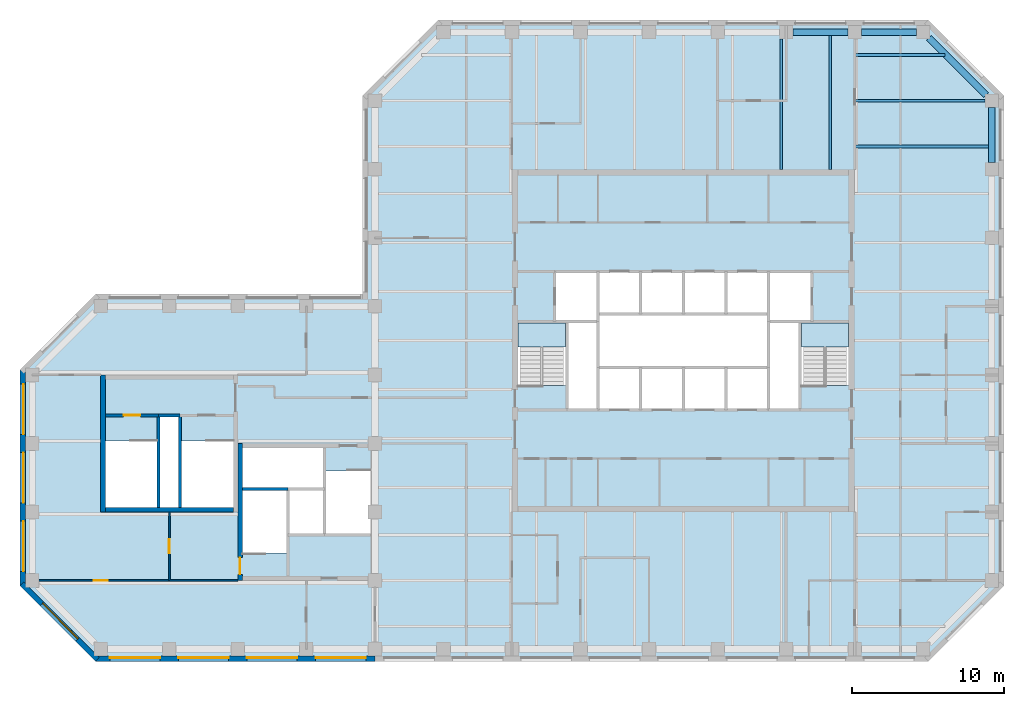
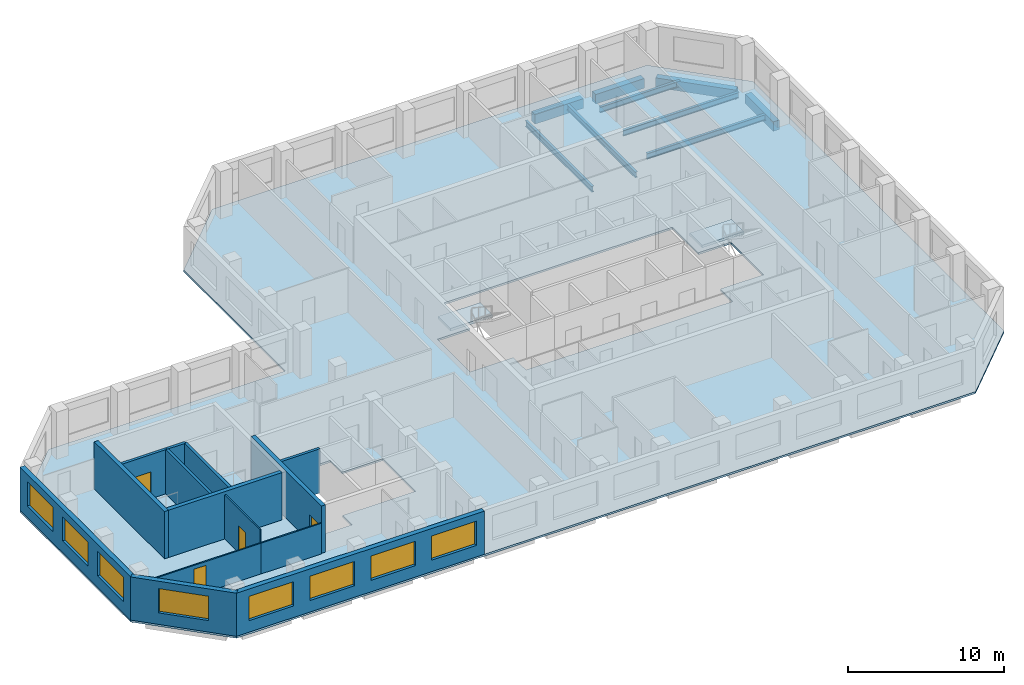
# One storey, part 2 of 9: 14 walls, 9 beams, 8 windows, 4 doors, 3 slabs, 12 openings, 2 elements without a shape of their own.
"""IFC4 building model written with IfcOpenShell, lengths in metres."""

from ifc_helpers import new_model, si_unit, direction, frame, frame_2d, origin, origin_2d, place, context, subcontext, project, spatial, polyline, rectangle, i_section, outline, extrude, material, layer, layer_set, constituent, constituent_set, material_profile, profile_set, type_object, element, fill, aggregate, save


model = new_model("IFC4")

# Units and contexts
model_context = context("Model", 3, precision=1e-05, world=origin(), true_north=direction((0.0, 1.0)))
body_context = subcontext(model_context, "Body", "Model", "MODEL_VIEW")
ifc_project = project(units=[si_unit("LENGTHUNIT", "METRE"), si_unit("AREAUNIT", "SQUARE_METRE"), si_unit("VOLUMEUNIT", "CUBIC_METRE"), si_unit("PLANEANGLEUNIT", "RADIAN"), si_unit("MASSUNIT", "GRAM", prefix="KILO")], contexts=[model_context])

# Site, building, storey
site_placement = place(None, origin())
site = spatial("IfcSite", under=ifc_project, at=site_placement, CompositionType="ELEMENT")
building_placement = place(site_placement, origin())
building = spatial("IfcBuilding", under=site, at=building_placement, Name="Quoin Convention Tower", CompositionType="ELEMENT")
storey_placement = place(building_placement, frame((0.0, 0.0, 260.0)))
storey = spatial("IfcBuildingStorey", under=building, at=storey_placement, Name="L68", CompositionType="ELEMENT", Elevation=260.0)

# Beams
ifc_material_1 = material(Name="Steel Grade 300", Category="steel")
ifc_material_profile_1 = material_profile(ifc_material_1, i_section(OverallWidth=0.18994140625, OverallDepth=0.4541015625, WebThickness=0.008544921875, FlangeThickness=0.0126953125, FilletRadius=0.011474609375, at=origin_2d()), Name="460UB67.1")
ifc_profile_set_1 = profile_set([ifc_material_profile_1], Name="Steel Grade 300")
beam_type_1 = type_object("IfcBeamType", Name="460UB67.1", PredefinedType="BEAM", material=ifc_profile_set_1)
beam_1_placement = place(storey_placement, frame((62.6787109375, 72.0, -0.376953125), z_axis=(0.0, 1.0, 0.0), x_axis=(-1.0, 0.0, 0.0)))
element("IfcBeam", 1, at=beam_1_placement, inside=storey, type_object=beam_type_1, Name="bm-L68-T1N5", PredefinedType="BEAM", context=body_context, shape_type="SweptSolid", body=[
    extrude(i_section(OverallWidth=0.18994140625, OverallDepth=0.4541015625, WebThickness=0.008544921875, FlangeThickness=0.0126953125, FilletRadius=0.011474609375, at=origin_2d()), origin(), (0.0, 0.0, 1.0), 8.550048828125),
])
beam_2_placement = place(storey_placement, frame((65.892822265625, 72.0, -0.376953125), z_axis=(0.0, 1.0, 0.0), x_axis=(-1.0, 0.0, 0.0)))
element("IfcBeam", 2, at=beam_2_placement, inside=storey, type_object=beam_type_1, Name="bm-L68-T1N6", PredefinedType="BEAM", context=body_context, shape_type="SweptSolid", body=[
    extrude(i_section(OverallWidth=0.18994140625, OverallDepth=0.4541015625, WebThickness=0.008544921875, FlangeThickness=0.0126953125, FilletRadius=0.011474609375, at=origin_2d()), origin(), (0.0, 0.0, 1.0), 8.77490234375),
])
beam_3_placement = place(storey_placement, frame((67.5, 79.5, -0.376953125), z_axis=(1.0, 0.0, 0.0), x_axis=(0.0, 1.0, 0.0)))
element("IfcBeam", 3, at=beam_3_placement, inside=storey, type_object=beam_type_1, Name="bm-L68-T1NE0", PredefinedType="BEAM", context=body_context, shape_type="SweptSolid", body=[
    extrude(i_section(OverallWidth=0.18994140625, OverallDepth=0.4541015625, WebThickness=0.008544921875, FlangeThickness=0.0126953125, FilletRadius=0.011474609375, at=origin_2d()), origin(), (0.0, 0.0, 1.0), 5.935791015625),
])
beam_4_placement = place(storey_placement, frame((67.5, 76.5, -0.376953125), z_axis=(1.0, 0.0, 0.0), x_axis=(0.0, 1.0, 0.0)))
element("IfcBeam", 4, at=beam_4_placement, inside=storey, type_object=beam_type_1, Name="bm-L68-T1NE1", PredefinedType="BEAM", context=body_context, shape_type="SweptSolid", body=[
    extrude(i_section(OverallWidth=0.18994140625, OverallDepth=0.4541015625, WebThickness=0.008544921875, FlangeThickness=0.0126953125, FilletRadius=0.011474609375, at=origin_2d()), origin(), (0.0, 0.0, 1.0), 8.550048828125),
])
beam_5_placement = place(storey_placement, frame((67.5, 73.5, -0.376953125), z_axis=(1.0, 0.0, 0.0), x_axis=(0.0, 1.0, 0.0)))
element("IfcBeam", 5, at=beam_5_placement, inside=storey, type_object=beam_type_1, Name="bm-L68-T1NE2", PredefinedType="BEAM", context=body_context, shape_type="SweptSolid", body=[
    extrude(i_section(OverallWidth=0.18994140625, OverallDepth=0.4541015625, WebThickness=0.008544921875, FlangeThickness=0.0126953125, FilletRadius=0.011474609375, at=origin_2d()), origin(), (0.0, 0.0, 1.0), 8.77490234375),
])
ifc_material_2 = material(Name="Concrete C50", Category="concrete")
ifc_material_profile_2 = material_profile(ifc_material_2, rectangle(XDim=0.449951171875, YDim=0.75, at=origin_2d()), Name="RC 450x750")
ifc_profile_set_2 = profile_set([ifc_material_profile_2], Name="Concrete C50")
beam_type_2 = type_object("IfcBeamType", Name="RC 450x750 C50", PredefinedType="SPANDREL", material=ifc_profile_set_2)
beam_6_placement = place(storey_placement, frame((76.5, 72.449951171875, -0.52490234375), z_axis=(0.0, 1.0, 0.0), x_axis=(-1.0, 0.0, 0.0)))
element("IfcBeam", 6, at=beam_6_placement, inside=storey, type_object=beam_type_2, Name="spd-L68-76500_72000-76500_76500", PredefinedType="SPANDREL", context=body_context, shape_type="SweptSolid", body=[
    extrude(rectangle(XDim=0.449951171875, YDim=0.75, at=origin_2d()), origin(), (0.0, 0.0, 1.0), 3.60009765625),
])
beam_7_placement = place(storey_placement, frame((76.135009765625, 76.864990234375, -0.52490234375), z_axis=(-0.707106781187, 0.707106781187, 0.0), x_axis=(-0.707106781187, -0.707106781187, 0.0)))
element("IfcBeam", 7, at=beam_7_placement, inside=storey, type_object=beam_type_2, Name="spd-L68-76500_76500-72000_81000", PredefinedType="SPANDREL", context=body_context, shape_type="SweptSolid", body=[
    extrude(rectangle(XDim=0.449951171875, YDim=0.75, at=origin_2d()), origin(), (0.0, 0.0, 1.0), 5.33154296875),
])
for number, where, z_axis, x_axis, name in (
    (8, (71.550048828125, 81.0, -0.52490234375), (-1.0, 0.0, 0.0), (0.0, -1.0, 0.0), "spd-L68-72000_81000-67500_81000"),
    (9, (67.050048828125, 81.0, -0.52490234375), (-1.0, 0.0, 0.0), (0.0, -1.0, 0.0), "spd-L68-67500_81000-63000_81000"),
):
    element("IfcBeam", number, at=place(storey_placement, frame(where, z_axis=z_axis, x_axis=x_axis)), inside=storey, type_object=beam_type_2, Name=name, PredefinedType="SPANDREL", context=body_context, shape_type="SweptSolid", body=[
        extrude(rectangle(XDim=0.449951171875, YDim=0.75, at=origin_2d()), origin(), (0.0, 0.0, 1.0), 3.60009765625),
    ])

# Slab
ifc_material_3 = material(Name="Concrete C40", Category="concrete")
ifc_layer_1 = layer(ifc_material_3, 0.14990234375)
ifc_layer_set_1 = layer_set([ifc_layer_1], Name="Concrete C40")
slab_type_1 = type_object("IfcSlabType", Name="COMPOSITE SLAB 150 C40", PredefinedType="FLOOR", material=ifc_layer_set_1)
slab_1_placement = place(storey_placement, frame((0.0, 0.0, -0.14990234375)))
element("IfcSlab", 10, at=slab_1_placement, inside=storey, type_object=slab_type_1, Name="slb-L68", PredefinedType="FLOOR", context=body_context, shape_type="SweptSolid", body=[
    extrude(outline(polyline([(17.668701171875, 39.699951171875), (12.699951171875, 44.668701171875), (12.699951171875, 58.831298828125), (17.668701171875, 63.800048828125), (35.199951171875, 63.800048828125), (35.199951171875, 76.831298828125), (40.168701171875, 81.800048828125), (72.331298828125, 81.800048828125), (77.300048828125, 76.831298828125), (77.300048828125, 44.668701171875), (72.331298828125, 39.699951171875), (17.668701171875, 39.699951171875)]), holes=[polyline([(27.300048828125, 51.0), (27.300048828125, 46.800537109375), (30.300048828125, 46.800537109375), (30.300048828125, 48.0), (32.699951171875, 48.0), (35.699951171875, 48.0), (35.699951171875, 52.199462890625), (32.699951171875, 52.199462890625), (32.699951171875, 53.699951171875), (27.300048828125, 53.699951171875), (27.300048828125, 51.0)]), polyline([(18.300048828125, 49.800048828125), (21.800048828125, 49.800048828125), (23.199951171875, 49.800048828125), (26.699951171875, 49.800048828125), (26.699951171875, 54.1494140625), (23.199951171875, 54.1494140625), (23.199951171875, 55.85009765625), (21.800048828125, 55.85009765625), (21.800048828125, 54.1494140625), (18.300048828125, 54.1494140625), (18.300048828125, 49.800048828125)]), polyline([(48.60009765625, 56.199951171875), (50.64990234375, 56.199951171875), (53.449951171875, 56.199951171875), (56.25, 56.199951171875), (59.050048828125, 56.199951171875), (61.85009765625, 56.199951171875), (63.89990234375, 56.199951171875), (63.89990234375, 57.800537109375), (67.10009765625, 57.800537109375), (67.10009765625, 62.0), (64.699951171875, 62.0), (64.699951171875, 65.300048828125), (61.85009765625, 65.300048828125), (59.050048828125, 65.300048828125), (56.25, 65.300048828125), (53.449951171875, 65.300048828125), (50.64990234375, 65.300048828125), (47.800048828125, 65.300048828125), (47.800048828125, 62.0), (45.39990234375, 62.0), (45.39990234375, 57.800537109375), (48.60009765625, 57.800537109375), (48.60009765625, 56.199951171875)])]), origin(), (0.0, 0.0, 1.0), 0.14990234375),
])

# Stair, slab
stair_type = type_object("IfcStairType", Name="Exit stair two-flight 1350", PredefinedType="HALF_TURN_STAIR", material=ifc_material_3)
stair_1_placement = place(storey_placement, origin())
stair_1 = element("IfcStair", 11, at=stair_1_placement, inside=storey, type_object=stair_type, Name="SD1 L68", PredefinedType="HALF_TURN_STAIR")
ifc_layer_2 = layer(ifc_material_3, 0.199951171875)
ifc_layer_set_2 = layer_set([ifc_layer_2], Name="Concrete C40")
slab_type_2 = type_object("IfcSlabType", Name="Stair landing 200", PredefinedType="LANDING", material=ifc_layer_set_2)
slab_2_placement = place(storey_placement, frame((0.0, 0.0, 1.64990234375)))
slab_2 = element("IfcSlab", 12, at=slab_2_placement, type_object=slab_type_2, Name="ST1 landing 1", PredefinedType="LANDING", context=body_context, shape_type="SweptSolid", body=[
    extrude(outline(polyline([(45.39990234375, 60.320068359375), (48.5, 60.320068359375), (48.5, 61.89990234375), (45.39990234375, 61.89990234375), (45.39990234375, 60.320068359375)])), origin(), (0.0, 0.0, 1.0), 0.2001953125),
])
aggregate(stair_1, [slab_2])

stair_2_placement = place(storey_placement, origin())
stair_2 = element("IfcStair", 13, at=stair_2_placement, inside=storey, type_object=stair_type, Name="SD2 L68", PredefinedType="HALF_TURN_STAIR")
slab_3_placement = place(storey_placement, frame((0.0, 0.0, 1.64990234375)))
slab_3 = element("IfcSlab", 14, at=slab_3_placement, type_object=slab_type_2, Name="ST2 landing 1", PredefinedType="LANDING", context=body_context, shape_type="SweptSolid", body=[
    extrude(outline(polyline([(64.0, 60.320068359375), (67.10009765625, 60.320068359375), (67.10009765625, 61.89990234375), (64.0, 61.89990234375), (64.0, 60.320068359375)])), origin(), (0.0, 0.0, 1.0), 0.2001953125),
])
aggregate(stair_2, [slab_3])

# Wall, openings, windows
ifc_material_4 = material(Name="Brick masonry", Category="masonry")
ifc_layer_3 = layer(ifc_material_4, 0.35009765625)
ifc_layer_set_3 = layer_set([ifc_layer_3], Name="Brick masonry")
wall_type_1 = type_object("IfcWallType", Name="Brick facade wall", PredefinedType="STANDARD", material=ifc_layer_set_3)
wall_1_placement = place(storey_placement, frame((12.875, 58.831298828125, 0.0), z_axis=(0.0, 0.0, 1.0), x_axis=(0.0, -1.0, 0.0)))
wall_1 = element("IfcWall", 15, at=wall_1_placement, inside=storey, type_object=wall_type_1, Name="fw-L68-13500_58500", PredefinedType="STANDARD", context=body_context, shape_type="SweptSolid", body=[
    extrude(rectangle(XDim=14.16259765625, YDim=0.35009765625, at=frame_2d((7.081298828125, 0.0))), origin(), (0.0, 0.0, 1.0), 3.375),
])
opening_1_placement = place(wall_1_placement, frame((0.931396484375, 0.0, 0.89990234375)))
opening_1 = element("IfcOpeningElement", 16, at=opening_1_placement, cuts=wall_1, Name="Opening W-02", PredefinedType="OPENING", context=body_context, shape_type="SweptSolid", body=[
    extrude(rectangle(XDim=3.300048828125, YDim=1.89990234375, at=frame_2d((1.64990234375, 0.949951171875))), frame((0.0, 0.18505859375, 0.0), z_axis=(0.0, -1.0, 0.0), x_axis=(1.0, 0.0, 0.0)), (0.0, 0.0, 1.0), 0.3701171875),
])
opening_2_placement = place(wall_1_placement, frame((5.431396484375, 0.0, 0.89990234375)))
opening_2 = element("IfcOpeningElement", 17, at=opening_2_placement, cuts=wall_1, Name="Opening W-02", PredefinedType="OPENING", context=body_context, shape_type="SweptSolid", body=[
    extrude(rectangle(XDim=3.300048828125, YDim=1.89990234375, at=frame_2d((1.64990234375, 0.949951171875))), frame((0.0, 0.18505859375, 0.0), z_axis=(0.0, -1.0, 0.0), x_axis=(1.0, 0.0, 0.0)), (0.0, 0.0, 1.0), 0.3701171875),
])
opening_3_placement = place(wall_1_placement, frame((9.931396484375, 0.0, 0.89990234375)))
opening_3 = element("IfcOpeningElement", 18, at=opening_3_placement, cuts=wall_1, Name="Opening W-02", PredefinedType="OPENING", context=body_context, shape_type="SweptSolid", body=[
    extrude(rectangle(XDim=3.300048828125, YDim=1.89990234375, at=frame_2d((1.64990234375, 0.949951171875))), frame((0.0, 0.18505859375, 0.0), z_axis=(0.0, -1.0, 0.0), x_axis=(1.0, 0.0, 0.0)), (0.0, 0.0, 1.0), 0.3701171875),
])
ifc_material_5 = material(Name="Aluminium", Category="aluminium")
ifc_constituent_1 = constituent(ifc_material_5, Name="Frame")
ifc_material_6 = material(Name="Insulated glass", Category="glass")
ifc_constituent_2 = constituent(ifc_material_6, Name="Glazing")
ifc_constituent_set = constituent_set(constituents=[ifc_constituent_1, ifc_constituent_2], Name="Aluminium")
window_type = type_object("IfcWindowType", Name="Office window", PartitioningType="DOUBLE_PANEL_VERTICAL", PredefinedType="WINDOW", material=ifc_constituent_set)
window_1_placement = place(opening_1_placement, origin())
window_1 = element("IfcWindow", 19, at=window_1_placement, inside=storey, type_object=window_type, Name="win-L68-12875_56250", OverallHeight=1.89990234375, OverallWidth=3.300048828125, PartitioningType="SINGLE_PANEL", PredefinedType="WINDOW", context=body_context, shape_type="SweptSolid", body=[
    extrude(rectangle(XDim=3.300048828125, YDim=1.89990234375, at=frame_2d((1.64990234375, 0.949951171875))), frame((0.0, 0.0849609375, 0.0), z_axis=(0.0, -1.0, 0.0), x_axis=(1.0, 0.0, 0.0)), (0.0, 0.0, 1.0), 0.06005859375),
])
fill(opening_1, window_1)
window_2_placement = place(opening_2_placement, origin())
window_2 = element("IfcWindow", 20, at=window_2_placement, inside=storey, type_object=window_type, Name="win-L68-12875_51750", OverallHeight=1.89990234375, OverallWidth=3.300048828125, PartitioningType="SINGLE_PANEL", PredefinedType="WINDOW", context=body_context, shape_type="SweptSolid", body=[
    extrude(rectangle(XDim=3.300048828125, YDim=1.89990234375, at=frame_2d((1.64990234375, 0.949951171875))), frame((0.0, 0.0849609375, 0.0), z_axis=(0.0, -1.0, 0.0), x_axis=(1.0, 0.0, 0.0)), (0.0, 0.0, 1.0), 0.06005859375),
])
fill(opening_2, window_2)
window_3_placement = place(opening_3_placement, origin())
window_3 = element("IfcWindow", 21, at=window_3_placement, inside=storey, type_object=window_type, Name="win-L68-12875_47250", OverallHeight=1.89990234375, OverallWidth=3.300048828125, PartitioningType="SINGLE_PANEL", PredefinedType="WINDOW", context=body_context, shape_type="SweptSolid", body=[
    extrude(rectangle(XDim=3.300048828125, YDim=1.89990234375, at=frame_2d((1.64990234375, 0.949951171875))), frame((0.0, 0.0849609375, 0.0), z_axis=(0.0, -1.0, 0.0), x_axis=(1.0, 0.0, 0.0)), (0.0, 0.0, 1.0), 0.06005859375),
])
fill(opening_3, window_3)

# Wall, opening, window
wall_2_placement = place(storey_placement, frame((12.82373046875, 44.79248046875, 0.0), z_axis=(0.0, 0.0, 1.0), x_axis=(0.707106781187, -0.707106781187, 0.0)))
wall_2 = element("IfcWall", 22, at=wall_2_placement, inside=storey, type_object=wall_type_1, Name="fw-L68-13500_45000", PredefinedType="STANDARD", context=body_context, shape_type="SweptSolid", body=[
    extrude(rectangle(XDim=7.02685546875, YDim=0.35009765625, at=frame_2d((3.513427734375, 0.0))), origin(), (0.0, 0.0, 1.0), 3.375),
])
opening_4_placement = place(wall_2_placement, frame((1.86328125, 0.0, 0.89990234375)))
opening_4 = element("IfcOpeningElement", 23, at=opening_4_placement, cuts=wall_2, Name="Opening W-02", PredefinedType="OPENING", context=body_context, shape_type="SweptSolid", body=[
    extrude(rectangle(XDim=3.300048828125, YDim=1.89990234375, at=frame_2d((1.64990234375, 0.949951171875))), frame((0.0, 0.18505859375, 0.0), z_axis=(0.0, -1.0, 0.0), x_axis=(1.0, 0.0, 0.0)), (0.0, 0.0, 1.0), 0.3701171875),
])
window_4_placement = place(opening_4_placement, origin())
window_4 = element("IfcWindow", 24, at=window_4_placement, inside=storey, type_object=window_type, Name="win-L68-15308_42308", OverallHeight=1.89990234375, OverallWidth=3.300048828125, PartitioningType="SINGLE_PANEL", PredefinedType="WINDOW", context=body_context, shape_type="SweptSolid", body=[
    extrude(rectangle(XDim=3.300048828125, YDim=1.89990234375, at=frame_2d((1.64990234375, 0.949951171875))), frame((0.0, 0.0849609375, 0.0), z_axis=(0.0, -1.0, 0.0), x_axis=(1.0, 0.0, 0.0)), (0.0, 0.0, 1.0), 0.06005859375),
])
fill(opening_4, window_4)

# Wall, openings, windows
wall_3_placement = place(storey_placement, frame((17.668701171875, 39.875, 0.0), z_axis=(0.0, 0.0, 1.0), x_axis=(1.0, 0.0, 0.0)))
wall_3 = element("IfcWall", 25, at=wall_3_placement, inside=storey, type_object=wall_type_1, Name="fw-L68-18000_40500", PredefinedType="STANDARD", context=body_context, shape_type="SweptSolid", body=[
    extrude(rectangle(XDim=18.331298828125, YDim=0.35009765625, at=frame_2d((9.16552734375, 0.0))), origin(), (0.0, 0.0, 1.0), 3.375),
])
opening_5_placement = place(wall_3_placement, frame((0.931396484375, 0.0, 0.89990234375)))
opening_5 = element("IfcOpeningElement", 26, at=opening_5_placement, cuts=wall_3, Name="Opening W-02", PredefinedType="OPENING", context=body_context, shape_type="SweptSolid", body=[
    extrude(rectangle(XDim=3.300048828125, YDim=1.89990234375, at=frame_2d((1.64990234375, 0.949951171875))), frame((0.0, 0.18505859375, 0.0), z_axis=(0.0, -1.0, 0.0), x_axis=(1.0, 0.0, 0.0)), (0.0, 0.0, 1.0), 0.3701171875),
])
opening_6_placement = place(wall_3_placement, frame((5.431396484375, 0.0, 0.89990234375)))
opening_6 = element("IfcOpeningElement", 27, at=opening_6_placement, cuts=wall_3, Name="Opening W-02", PredefinedType="OPENING", context=body_context, shape_type="SweptSolid", body=[
    extrude(rectangle(XDim=3.300048828125, YDim=1.89990234375, at=frame_2d((1.64990234375, 0.949951171875))), frame((0.0, 0.18505859375, 0.0), z_axis=(0.0, -1.0, 0.0), x_axis=(1.0, 0.0, 0.0)), (0.0, 0.0, 1.0), 0.3701171875),
])
opening_7_placement = place(wall_3_placement, frame((9.931396484375, 0.0, 0.89990234375)))
opening_7 = element("IfcOpeningElement", 28, at=opening_7_placement, cuts=wall_3, Name="Opening W-02", PredefinedType="OPENING", context=body_context, shape_type="SweptSolid", body=[
    extrude(rectangle(XDim=3.300048828125, YDim=1.89990234375, at=frame_2d((1.64990234375, 0.949951171875))), frame((0.0, 0.18505859375, 0.0), z_axis=(0.0, -1.0, 0.0), x_axis=(1.0, 0.0, 0.0)), (0.0, 0.0, 1.0), 0.3701171875),
])
opening_8_placement = place(wall_3_placement, frame((14.431396484375, 0.0, 0.89990234375)))
opening_8 = element("IfcOpeningElement", 29, at=opening_8_placement, cuts=wall_3, Name="Opening W-02", PredefinedType="OPENING", context=body_context, shape_type="SweptSolid", body=[
    extrude(rectangle(XDim=3.300048828125, YDim=1.89990234375, at=frame_2d((1.64990234375, 0.949951171875))), frame((0.0, 0.18505859375, 0.0), z_axis=(0.0, -1.0, 0.0), x_axis=(1.0, 0.0, 0.0)), (0.0, 0.0, 1.0), 0.3701171875),
])
window_5_placement = place(opening_5_placement, origin())
window_5 = element("IfcWindow", 30, at=window_5_placement, inside=storey, type_object=window_type, Name="win-L68-20250_39875", OverallHeight=1.89990234375, OverallWidth=3.300048828125, PartitioningType="SINGLE_PANEL", PredefinedType="WINDOW", context=body_context, shape_type="SweptSolid", body=[
    extrude(rectangle(XDim=3.300048828125, YDim=1.89990234375, at=frame_2d((1.64990234375, 0.949951171875))), frame((0.0, 0.0849609375, 0.0), z_axis=(0.0, -1.0, 0.0), x_axis=(1.0, 0.0, 0.0)), (0.0, 0.0, 1.0), 0.06005859375),
])
fill(opening_5, window_5)
window_6_placement = place(opening_6_placement, origin())
window_6 = element("IfcWindow", 31, at=window_6_placement, inside=storey, type_object=window_type, Name="win-L68-24750_39875", OverallHeight=1.89990234375, OverallWidth=3.300048828125, PartitioningType="SINGLE_PANEL", PredefinedType="WINDOW", context=body_context, shape_type="SweptSolid", body=[
    extrude(rectangle(XDim=3.300048828125, YDim=1.89990234375, at=frame_2d((1.64990234375, 0.949951171875))), frame((0.0, 0.0849609375, 0.0), z_axis=(0.0, -1.0, 0.0), x_axis=(1.0, 0.0, 0.0)), (0.0, 0.0, 1.0), 0.06005859375),
])
fill(opening_6, window_6)
window_7_placement = place(opening_7_placement, origin())
window_7 = element("IfcWindow", 32, at=window_7_placement, inside=storey, type_object=window_type, Name="win-L68-29250_39875", OverallHeight=1.89990234375, OverallWidth=3.300048828125, PartitioningType="SINGLE_PANEL", PredefinedType="WINDOW", context=body_context, shape_type="SweptSolid", body=[
    extrude(rectangle(XDim=3.300048828125, YDim=1.89990234375, at=frame_2d((1.64990234375, 0.949951171875))), frame((0.0, 0.0849609375, 0.0), z_axis=(0.0, -1.0, 0.0), x_axis=(1.0, 0.0, 0.0)), (0.0, 0.0, 1.0), 0.06005859375),
])
fill(opening_7, window_7)
window_8_placement = place(opening_8_placement, origin())
window_8 = element("IfcWindow", 33, at=window_8_placement, inside=storey, type_object=window_type, Name="win-L68-33750_39875", OverallHeight=1.89990234375, OverallWidth=3.300048828125, PartitioningType="SINGLE_PANEL", PredefinedType="WINDOW", context=body_context, shape_type="SweptSolid", body=[
    extrude(rectangle(XDim=3.300048828125, YDim=1.89990234375, at=frame_2d((1.64990234375, 0.949951171875))), frame((0.0, 0.0849609375, 0.0), z_axis=(0.0, -1.0, 0.0), x_axis=(1.0, 0.0, 0.0)), (0.0, 0.0, 1.0), 0.06005859375),
])
fill(opening_8, window_8)

# Walls
ifc_layer_4 = layer(ifc_material_2, 0.199951171875)
ifc_layer_set_4 = layer_set([ifc_layer_4], Name="Concrete C50")
wall_type_2 = type_object("IfcWallType", Name="Core shaft wall", PredefinedType="SOLIDWALL", material=ifc_layer_set_4)
wall_4_placement = place(storey_placement, frame((27.300048828125, 51.0, 0.0), z_axis=(0.0, 0.0, 1.0), x_axis=(1.0, 0.0, 0.0)))
element("IfcWall", 34, at=wall_4_placement, inside=storey, type_object=wall_type_2, Name="cr-P2-L68-h6000_300", PredefinedType="SOLIDWALL", context=body_context, shape_type="SweptSolid", body=[
    extrude(rectangle(XDim=3.0, YDim=0.199951171875, at=frame_2d((1.5, 0.0))), origin(), (0.0, 0.0, 1.0), 3.449951171875),
])
wall_5_placement = place(storey_placement, frame((21.800048828125, 55.85009765625, 0.0), z_axis=(0.0, 0.0, 1.0), x_axis=(1.0, 0.0, 0.0)))
element("IfcWall", 35, at=wall_5_placement, inside=storey, type_object=wall_type_2, Name="cr-P6-L68-h6350_3800", PredefinedType="SOLIDWALL", context=body_context, shape_type="SweptSolid", body=[
    extrude(rectangle(XDim=1.39990234375, YDim=0.199951171875, at=frame_2d((0.699951171875, 0.0))), origin(), (0.0, 0.0, 1.0), 3.449951171875),
])

# Wall, opening, door
wall_6_placement = place(storey_placement, frame((18.300048828125, 55.85009765625, 0.0), z_axis=(0.0, 0.0, 1.0), x_axis=(1.0, 0.0, 0.0)))
wall_6 = element("IfcWall", 36, at=wall_6_placement, inside=storey, type_object=wall_type_2, Name="cr-P6-L68-h6350_300", PredefinedType="SOLIDWALL", context=body_context, shape_type="SweptSolid", body=[
    extrude(rectangle(XDim=3.5, YDim=0.199951171875, at=frame_2d((1.75, 0.0))), origin(), (0.0, 0.0, 1.0), 3.449951171875),
])
opening_9_placement = place(wall_6_placement, frame((1.199951171875, 0.0, 0.0)))
opening_9 = element("IfcOpeningElement", 37, at=opening_9_placement, cuts=wall_6, Name="Opening SD11", PredefinedType="OPENING", context=body_context, shape_type="SweptSolid", body=[
    extrude(rectangle(XDim=1.10009765625, YDim=2.10009765625, at=frame_2d((0.550048828125, 1.050048828125))), frame((0.0, 0.10986328125, 0.0), z_axis=(0.0, -1.0, 0.0), x_axis=(1.0, 0.0, 0.0)), (0.0, 0.0, 1.0), 0.219970703125),
])
ifc_material_7 = material(Name="Steel door leaf", Category="steel")
door_type_1 = type_object("IfcDoorType", Name="Stair door 1100 x 2100", OperationType="SINGLE_SWING_RIGHT", PredefinedType="DOOR", material=ifc_material_7)
door_1_placement = place(opening_9_placement, origin())
door_1 = element("IfcDoor", 38, at=door_1_placement, inside=storey, type_object=door_type_1, Name="cd-P6-L68-SA-R2-SD11", OperationType="SINGLE_SWING_RIGHT", OverallHeight=2.10009765625, OverallWidth=1.10009765625, PredefinedType="DOOR", context=body_context, shape_type="SweptSolid", body=[
    extrude(rectangle(XDim=1.10009765625, YDim=2.10009765625, at=frame_2d((0.550048828125, 1.050048828125))), frame((0.0, 0.02490234375, 0.0), z_axis=(0.0, -1.0, 0.0), x_axis=(1.0, 0.0, 0.0)), (0.0, 0.0, 1.0), 0.050048828125),
])
fill(opening_9, door_1)

# Walls
for number, where, z_axis, x_axis, name in (
    (39, (21.800048828125, 49.800048828125, 0.0), (0.0, 0.0, 1.0), (0.0, 1.0, 0.0), "cr-P6-L68-v3800_300"),
    (40, (23.199951171875, 49.800048828125, 0.0), (0.0, 0.0, 1.0), (0.0, 1.0, 0.0), "cr-P6-L68-v5200_300"),
):
    element("IfcWall", number, at=place(storey_placement, frame(where, z_axis=z_axis, x_axis=x_axis)), inside=storey, type_object=wall_type_2, Name=name, PredefinedType="SOLIDWALL", context=body_context, shape_type="SweptSolid", body=[
        extrude(rectangle(XDim=6.050048828125, YDim=0.199951171875, at=frame_2d((3.02490234375, 0.0))), origin(), (0.0, 0.0, 1.0), 3.449951171875),
    ])

# Wall, opening, door
ifc_layer_5 = layer(ifc_material_2, 0.300048828125)
ifc_layer_set_5 = layer_set([ifc_layer_5], Name="Concrete C50")
wall_type_3 = type_object("IfcWallType", Name="RC CORE WALL 300 C50", PredefinedType="SHEAR", material=ifc_layer_set_5)
wall_7_placement = place(storey_placement, frame((27.14990234375, 45.0, 0.0), z_axis=(0.0, 0.0, 1.0), x_axis=(0.0, 1.0, 0.0)))
wall_7 = element("IfcWall", 41, at=wall_7_placement, inside=storey, type_object=wall_type_3, Name="cwl-P2-L68-W", PredefinedType="SHEAR", context=body_context, shape_type="SweptSolid", body=[
    extrude(rectangle(XDim=9.0, YDim=0.300048828125, at=frame_2d((4.5, 0.0))), origin(), (0.0, 0.0, 1.0), 3.699951171875),
])
opening_10_placement = place(wall_7_placement, frame((0.39990234375, 0.0, 0.0)))
opening_10 = element("IfcOpeningElement", 42, at=opening_10_placement, cuts=wall_7, Name="Opening SD3", PredefinedType="OPENING", context=body_context, shape_type="SweptSolid", body=[
    extrude(rectangle(XDim=1.10009765625, YDim=2.10009765625, at=frame_2d((0.550048828125, 1.050048828125))), frame((0.0, 0.159912109375, 0.0), z_axis=(0.0, -1.0, 0.0), x_axis=(1.0, 0.0, 0.0)), (0.0, 0.0, 1.0), 0.320068359375),
])
door_2_placement = place(opening_10_placement, frame((1.10009765625, 0.0, 0.0), z_axis=(0.0, 0.0, 1.0), x_axis=(-1.0, 0.0, 0.0)))
door_2 = element("IfcDoor", 43, at=door_2_placement, inside=storey, type_object=door_type_1, Name="cd-P2-L68-SA-W", OperationType="SINGLE_SWING_RIGHT", OverallHeight=2.10009765625, OverallWidth=1.10009765625, PredefinedType="DOOR", context=body_context, shape_type="SweptSolid", body=[
    extrude(rectangle(XDim=1.10009765625, YDim=2.10009765625, at=frame_2d((0.550048828125, 1.050048828125))), frame((0.0, 0.02490234375, 0.0), z_axis=(0.0, -1.0, 0.0), x_axis=(1.0, 0.0, 0.0)), (0.0, 0.0, 1.0), 0.050048828125),
])
fill(opening_10, door_2)

# Walls
wall_8_placement = place(storey_placement, frame((18.300048828125, 49.64990234375, 0.0), z_axis=(0.0, 0.0, 1.0), x_axis=(1.0, 0.0, 0.0)))
element("IfcWall", 44, at=wall_8_placement, inside=storey, type_object=wall_type_3, Name="cwl-P6-L68-S", PredefinedType="SHEAR", context=body_context, shape_type="SweptSolid", body=[
    extrude(rectangle(XDim=8.39990234375, YDim=0.300048828125, at=frame_2d((4.199951171875, 0.0))), origin(), (0.0, 0.0, 1.0), 3.699951171875),
])
wall_9_placement = place(storey_placement, frame((18.14990234375, 49.5, 0.0), z_axis=(0.0, 0.0, 1.0), x_axis=(0.0, 1.0, 0.0)))
element("IfcWall", 45, at=wall_9_placement, inside=storey, type_object=wall_type_3, Name="cwl-P6-L68-W", PredefinedType="SHEAR", context=body_context, shape_type="SweptSolid", body=[
    extrude(rectangle(XDim=9.0, YDim=0.300048828125, at=frame_2d((4.5, 0.0))), origin(), (0.0, 0.0, 1.0), 3.699951171875),
])

# Wall, opening, door
ifc_material_8 = material(Name="Plasterboard")
ifc_layer_6 = layer(ifc_material_8, 0.012451171875, Name="Finish")
ifc_material_9 = material(Name="Steel stud framing", Category="steel")
ifc_layer_7 = layer(ifc_material_9, 0.074951171875, Name="Structure")
ifc_layer_8 = layer(ifc_material_8, 0.012451171875, Name="Finish")
ifc_layer_set_6 = layer_set([ifc_layer_6, ifc_layer_7, ifc_layer_8], Name="Steel stud framing")
wall_type_4 = type_object("IfcWallType", Name="Stud partition 100", PredefinedType="PARTITIONING", material=ifc_layer_set_6)
wall_10_placement = place(storey_placement, frame((22.5, 49.5, 0.0), z_axis=(0.0, 0.0, 1.0), x_axis=(0.0, -1.0, 0.0)))
wall_10 = element("IfcWall", 46, at=wall_10_placement, inside=storey, type_object=wall_type_4, Name="pw-L68-w06", PredefinedType="PARTITIONING", context=body_context, shape_type="SweptSolid", body=[
    extrude(rectangle(XDim=4.5, YDim=0.10009765625, at=frame_2d((2.25, 0.0))), origin(), (0.0, 0.0, 1.0), 3.449951171875),
])
opening_11_placement = place(wall_10_placement, frame((1.800048828125, 0.0, 0.0)))
opening_11 = element("IfcOpeningElement", 47, at=opening_11_placement, cuts=wall_10, Name="Opening DOHS-23", PredefinedType="OPENING", context=body_context, shape_type="SweptSolid", body=[
    extrude(rectangle(XDim=0.89990234375, YDim=2.10009765625, at=frame_2d((0.449951171875, 1.050048828125))), frame((0.0, 0.06005859375, 0.0), z_axis=(0.0, -1.0, 0.0), x_axis=(1.0, 0.0, 0.0)), (0.0, 0.0, 1.0), 0.1201171875),
])
door_type_2 = type_object("IfcDoorType", Name="Office door 900 x 2100", OperationType="SINGLE_SWING_RIGHT", PredefinedType="DOOR", material=ifc_material_7)
door_3_placement = place(opening_11_placement, frame((0.89990234375, 0.0, 0.0), z_axis=(0.0, 0.0, 1.0), x_axis=(-1.0, 0.0, 0.0)))
door_3 = element("IfcDoor", 48, at=door_3_placement, inside=storey, type_object=door_type_2, Name="dr-L68-w06", OperationType="SINGLE_SWING_LEFT", OverallHeight=2.10009765625, OverallWidth=0.89990234375, PredefinedType="DOOR", context=body_context, shape_type="SweptSolid", body=[
    extrude(rectangle(XDim=0.89990234375, YDim=2.10009765625, at=frame_2d((0.449951171875, 1.050048828125))), frame((0.0, 0.02490234375, 0.0), z_axis=(0.0, -1.0, 0.0), x_axis=(1.0, 0.0, 0.0)), (0.0, 0.0, 1.0), 0.050048828125),
])
fill(opening_11, door_3)

ifc_layer_9 = layer(ifc_material_8, 0.012451171875, Name="Finish")
ifc_layer_10 = layer(ifc_material_9, 0.074951171875, Name="Structure")
ifc_layer_11 = layer(ifc_material_8, 0.012451171875, Name="Finish")
ifc_layer_set_7 = layer_set([ifc_layer_9, ifc_layer_10, ifc_layer_11], Name="Steel stud framing")
wall_type_5 = type_object("IfcWallType", Name="Stud partition 100 under beam 1050", PredefinedType="PARTITIONING", material=ifc_layer_set_7)
wall_11_placement = place(storey_placement, frame((22.5, 45.0, 0.0), z_axis=(0.0, 0.0, 1.0), x_axis=(-1.0, 0.0, 0.0)))
wall_11 = element("IfcWall", 49, at=wall_11_placement, inside=storey, type_object=wall_type_5, Name="pw-L68-w05", PredefinedType="PARTITIONING", context=body_context, shape_type="SweptSolid", body=[
    extrude(rectangle(XDim=9.0, YDim=0.10009765625, at=frame_2d((4.5, 0.0))), origin(), (0.0, 0.0, 1.0), 2.39990234375),
])
opening_12_placement = place(wall_11_placement, frame((4.050048828125, 0.0, 0.0)))
opening_12 = element("IfcOpeningElement", 50, at=opening_12_placement, cuts=wall_11, Name="Opening DOHS-22", PredefinedType="OPENING", context=body_context, shape_type="SweptSolid", body=[
    extrude(rectangle(XDim=0.89990234375, YDim=2.10009765625, at=frame_2d((0.449951171875, 1.050048828125))), frame((0.0, 0.06005859375, 0.0), z_axis=(0.0, -1.0, 0.0), x_axis=(1.0, 0.0, 0.0)), (0.0, 0.0, 1.0), 0.1201171875),
])
door_4_placement = place(opening_12_placement, frame((0.89990234375, 0.0, 0.0), z_axis=(0.0, 0.0, 1.0), x_axis=(-1.0, 0.0, 0.0)))
door_4 = element("IfcDoor", 51, at=door_4_placement, inside=storey, type_object=door_type_2, Name="dr-L68-w05", OperationType="SINGLE_SWING_RIGHT", OverallHeight=2.10009765625, OverallWidth=0.89990234375, PredefinedType="DOOR", context=body_context, shape_type="SweptSolid", body=[
    extrude(rectangle(XDim=0.89990234375, YDim=2.10009765625, at=frame_2d((0.449951171875, 1.050048828125))), frame((0.0, 0.02490234375, 0.0), z_axis=(0.0, -1.0, 0.0), x_axis=(1.0, 0.0, 0.0)), (0.0, 0.0, 1.0), 0.050048828125),
])
fill(opening_12, door_4)

# Wall
wall_12_placement = place(storey_placement, frame((22.5, 45.0, 0.0), z_axis=(0.0, 0.0, 1.0), x_axis=(1.0, 0.0, 0.0)))
element("IfcWall", 52, at=wall_12_placement, inside=storey, type_object=wall_type_5, Name="pw-L68-w07", PredefinedType="PARTITIONING", context=body_context, shape_type="SweptSolid", body=[
    extrude(rectangle(XDim=4.5, YDim=0.10009765625, at=frame_2d((2.25, 0.0))), origin(), (0.0, 0.0, 1.0), 2.39990234375),
])

save(model, "model.ifc")
